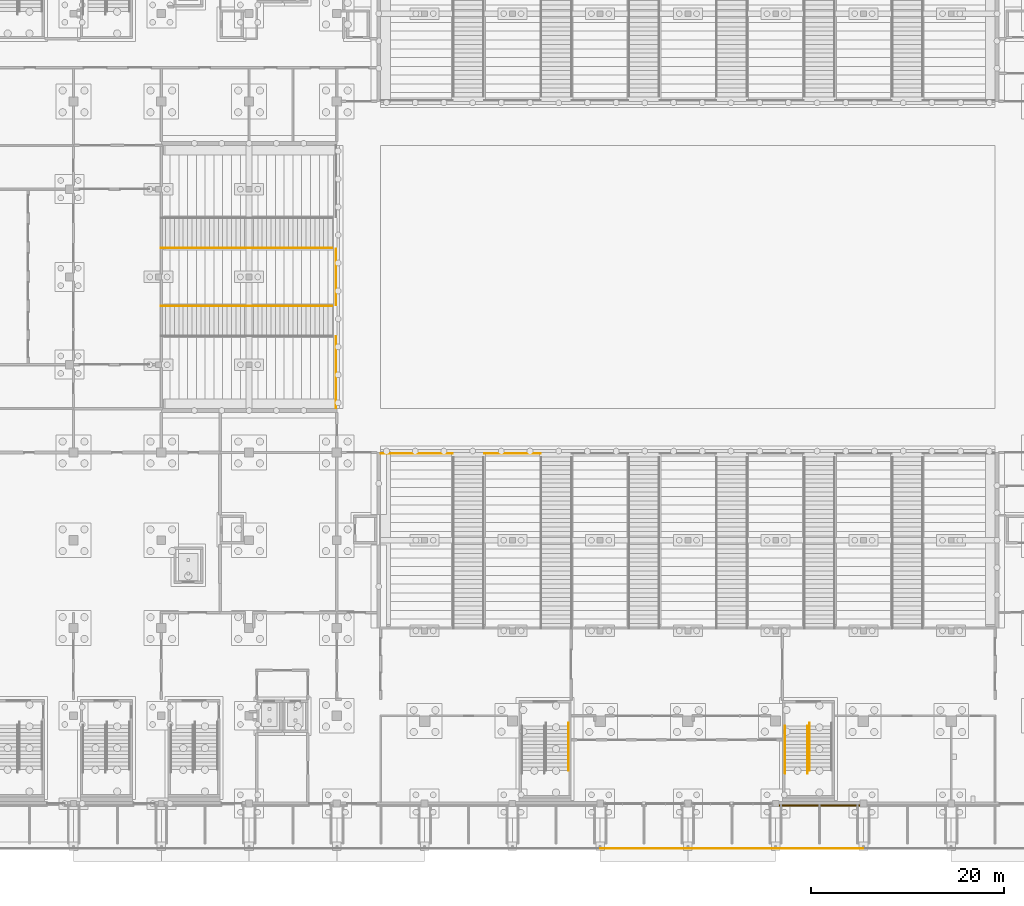
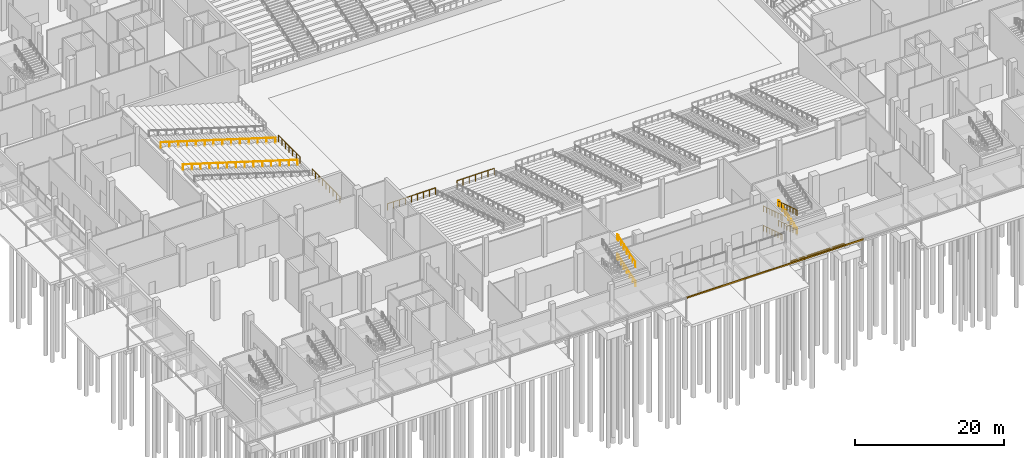
# One storey, part 104 of 129: 13 railings, 4 coverings.
"""IFC4 building model written with IfcOpenShell, lengths in metres."""

from ifc_helpers import new_model, si_unit, direction, frame, origin, origin_2d, place, context, subcontext, project, spatial, rectangle, circle, extrude, material, layer, layer_set, type_object, element, save


model = new_model("IFC4")

# Units and contexts
model_context = context("Model", 3, precision=1e-05, world=origin(), true_north=direction((0.0, 1.0)))
body_context = subcontext(model_context, "Body", "Model", "MODEL_VIEW")
ifc_project = project(units=[si_unit("LENGTHUNIT", "METRE"), si_unit("AREAUNIT", "SQUARE_METRE"), si_unit("VOLUMEUNIT", "CUBIC_METRE"), si_unit("PLANEANGLEUNIT", "RADIAN"), si_unit("MASSUNIT", "GRAM", prefix="KILO")], contexts=[model_context])

# Site, building, storey
site_placement = place(None, origin())
site = spatial("IfcSite", under=ifc_project, at=site_placement, CompositionType="ELEMENT")
building_placement = place(site_placement, origin())
building = spatial("IfcBuilding", under=site, at=building_placement, Name="Shirokan Park Arena", CompositionType="ELEMENT")
storey_placement = place(building_placement, origin())
storey = spatial("IfcBuildingStorey", under=building, at=storey_placement, Name="L00", CompositionType="ELEMENT", Elevation=0.0)

# Railings
ifc_material_1 = material(Name="Stainless steel", Category="steel")
railing_type_1 = type_object("IfcRailingType", Name="Aisle handrail 900", PredefinedType="HANDRAIL", material=ifc_material_1)
railing_1_placement = place(storey_placement, frame((35.89501953125, 51.610107421875, 0.909912109375)))
element("IfcRailing", 1, at=railing_1_placement, inside=storey, type_object=railing_type_1, Name="Handrail vomitory stair W1 lower", PredefinedType="HANDRAIL", context=body_context, shape_type="SweptSolid", body=[
    extrude(circle(Radius=0.02490234375, at=origin_2d()), frame((0.0, 0.0, 0.89013671875), z_axis=(-0.955745737905, 0.0, 0.294193957241), x_axis=(0.0, -1.0, 0.0)), (0.0, 0.0, 1.0), 1.42822265625),
    extrude(circle(Radius=0.02490234375, at=origin_2d()), frame((-1.364990234375, 0.0, 1.310546875), z_axis=(-0.95579379257, 0.0, 0.294037797035), x_axis=(0.0, -1.0, 0.0)), (0.0, 0.0, 1.0), 1.42822265625),
    extrude(circle(Radius=0.02490234375, at=origin_2d()), frame((-2.72998046875, 0.0, 1.73046875), z_axis=(-0.95579379257, 0.0, 0.294037797035), x_axis=(0.0, -1.0, 0.0)), (0.0, 0.0, 1.0), 1.42822265625),
    extrude(circle(Radius=0.02490234375, at=origin_2d()), frame((-4.094970703125, 0.0, 2.150390625), z_axis=(-0.955745737905, 0.0, 0.294193957241), x_axis=(0.0, -1.0, 0.0)), (0.0, 0.0, 1.0), 1.42822265625),
    extrude(circle(Radius=0.02490234375, at=origin_2d()), frame((-5.4599609375, 0.0, 2.5703125), z_axis=(-0.95579379257, 0.0, 0.294037797035), x_axis=(0.0, -1.0, 0.0)), (0.0, 0.0, 1.0), 1.42822265625),
    extrude(circle(Radius=0.02490234375, at=origin_2d()), frame((-6.824951171875, 0.0, 2.990234375), z_axis=(-0.95579379257, 0.0, 0.294037797035), x_axis=(0.0, -1.0, 0.0)), (0.0, 0.0, 1.0), 1.42822265625),
    extrude(circle(Radius=0.02490234375, at=origin_2d()), frame((-8.18994140625, 0.0, 3.41015625), z_axis=(-0.955745737905, 0.0, 0.294193957241), x_axis=(0.0, -1.0, 0.0)), (0.0, 0.0, 1.0), 1.42822265625),
    extrude(circle(Radius=0.02490234375, at=origin_2d()), frame((-9.554931640625, 0.0, 3.83056640625), z_axis=(-0.95579379257, 0.0, 0.294037797035), x_axis=(0.0, -1.0, 0.0)), (0.0, 0.0, 1.0), 1.42822265625),
    extrude(circle(Radius=0.02490234375, at=origin_2d()), frame((-10.919921875, 0.0, 4.25048828125), z_axis=(-0.95579379257, 0.0, 0.294037797035), x_axis=(0.0, -1.0, 0.0)), (0.0, 0.0, 1.0), 1.42822265625),
    extrude(circle(Radius=0.02490234375, at=origin_2d()), frame((-12.284912109375, 0.0, 4.67041015625), z_axis=(-0.955745737905, 0.0, 0.294193957241), x_axis=(0.0, -1.0, 0.0)), (0.0, 0.0, 1.0), 1.42822265625),
    extrude(circle(Radius=0.02490234375, at=origin_2d()), frame((-13.64990234375, 0.0, 5.09033203125), z_axis=(-0.955808569173, 0.0, 0.293989760189), x_axis=(0.0, -1.0, 0.0)), (0.0, 0.0, 1.0), 1.428466796875),
    extrude(circle(Radius=0.02490234375, at=origin_2d()), frame((-15.01513671875, 0.0, 5.51025390625), z_axis=(-0.95579379257, 0.0, 0.294037797035), x_axis=(0.0, -1.0, 0.0)), (0.0, 0.0, 1.0), 1.42822265625),
    extrude(circle(Radius=0.02490234375, at=origin_2d()), frame((-16.380126953125, 0.0, 5.93017578125), z_axis=(-0.955745737905, 0.0, 0.294193957241), x_axis=(0.0, -1.0, 0.0)), (0.0, 0.0, 1.0), 1.42822265625),
    extrude(circle(Radius=0.02490234375, at=origin_2d()), origin(), (0.0, 0.0, 1.0), 0.865234375),
    extrude(circle(Radius=0.02490234375, at=origin_2d()), frame((-1.364990234375, 0.0, 0.420166015625)), (0.0, 0.0, 1.0), 0.865234375),
    extrude(circle(Radius=0.02490234375, at=origin_2d()), frame((-2.72998046875, 0.0, 0.840087890625)), (0.0, 0.0, 1.0), 0.865234375),
    extrude(circle(Radius=0.02490234375, at=origin_2d()), frame((-4.094970703125, 0.0, 1.260009765625)), (0.0, 0.0, 1.0), 0.865234375),
    extrude(circle(Radius=0.02490234375, at=origin_2d()), frame((-5.4599609375, 0.0, 1.68017578125)), (0.0, 0.0, 1.0), 0.865234375),
    extrude(circle(Radius=0.02490234375, at=origin_2d()), frame((-6.824951171875, 0.0, 2.10009765625)), (0.0, 0.0, 1.0), 0.865234375),
    extrude(circle(Radius=0.02490234375, at=origin_2d()), frame((-8.18994140625, 0.0, 2.52001953125)), (0.0, 0.0, 1.0), 0.865234375),
    extrude(circle(Radius=0.02490234375, at=origin_2d()), frame((-9.554931640625, 0.0, 2.940185546875)), (0.0, 0.0, 1.0), 0.865234375),
    extrude(circle(Radius=0.02490234375, at=origin_2d()), frame((-10.919921875, 0.0, 3.360107421875)), (0.0, 0.0, 1.0), 0.865234375),
    extrude(circle(Radius=0.02490234375, at=origin_2d()), frame((-12.284912109375, 0.0, 3.780029296875)), (0.0, 0.0, 1.0), 0.865234375),
    extrude(circle(Radius=0.02490234375, at=origin_2d()), frame((-13.64990234375, 0.0, 4.2001953125)), (0.0, 0.0, 1.0), 0.865234375),
    extrude(circle(Radius=0.02490234375, at=origin_2d()), frame((-15.01513671875, 0.0, 4.6201171875)), (0.0, 0.0, 1.0), 0.865234375),
    extrude(circle(Radius=0.02490234375, at=origin_2d()), frame((-16.380126953125, 0.0, 5.0400390625)), (0.0, 0.0, 1.0), 0.865234375),
    extrude(circle(Radius=0.02490234375, at=origin_2d()), frame((-17.7451171875, 0.0, 5.460205078125)), (0.0, 0.0, 1.0), 0.865234375),
])
railing_2_placement = place(storey_placement, frame((35.89501953125, 57.590087890625, 0.909912109375)))
element("IfcRailing", 2, at=railing_2_placement, inside=storey, type_object=railing_type_1, Name="Handrail vomitory stair W2 lower", PredefinedType="HANDRAIL", context=body_context, shape_type="SweptSolid", body=[
    extrude(circle(Radius=0.02490234375, at=origin_2d()), frame((0.0, 0.0, 0.89013671875), z_axis=(-0.955745737905, 0.0, 0.294193957241), x_axis=(0.0, -1.0, 0.0)), (0.0, 0.0, 1.0), 1.42822265625),
    extrude(circle(Radius=0.02490234375, at=origin_2d()), frame((-1.364990234375, 0.0, 1.310546875), z_axis=(-0.95579379257, 0.0, 0.294037797035), x_axis=(0.0, -1.0, 0.0)), (0.0, 0.0, 1.0), 1.42822265625),
    extrude(circle(Radius=0.02490234375, at=origin_2d()), frame((-2.72998046875, 0.0, 1.73046875), z_axis=(-0.95579379257, 0.0, 0.294037797035), x_axis=(0.0, -1.0, 0.0)), (0.0, 0.0, 1.0), 1.42822265625),
    extrude(circle(Radius=0.02490234375, at=origin_2d()), frame((-4.094970703125, 0.0, 2.150390625), z_axis=(-0.955745737905, 0.0, 0.294193957241), x_axis=(0.0, -1.0, 0.0)), (0.0, 0.0, 1.0), 1.42822265625),
    extrude(circle(Radius=0.02490234375, at=origin_2d()), frame((-5.4599609375, 0.0, 2.5703125), z_axis=(-0.95579379257, 0.0, 0.294037797035), x_axis=(0.0, -1.0, 0.0)), (0.0, 0.0, 1.0), 1.42822265625),
    extrude(circle(Radius=0.02490234375, at=origin_2d()), frame((-6.824951171875, 0.0, 2.990234375), z_axis=(-0.95579379257, 0.0, 0.294037797035), x_axis=(0.0, -1.0, 0.0)), (0.0, 0.0, 1.0), 1.42822265625),
    extrude(circle(Radius=0.02490234375, at=origin_2d()), frame((-8.18994140625, 0.0, 3.41015625), z_axis=(-0.955745737905, 0.0, 0.294193957241), x_axis=(0.0, -1.0, 0.0)), (0.0, 0.0, 1.0), 1.42822265625),
    extrude(circle(Radius=0.02490234375, at=origin_2d()), frame((-9.554931640625, 0.0, 3.83056640625), z_axis=(-0.95579379257, 0.0, 0.294037797035), x_axis=(0.0, -1.0, 0.0)), (0.0, 0.0, 1.0), 1.42822265625),
    extrude(circle(Radius=0.02490234375, at=origin_2d()), frame((-10.919921875, 0.0, 4.25048828125), z_axis=(-0.95579379257, 0.0, 0.294037797035), x_axis=(0.0, -1.0, 0.0)), (0.0, 0.0, 1.0), 1.42822265625),
    extrude(circle(Radius=0.02490234375, at=origin_2d()), frame((-12.284912109375, 0.0, 4.67041015625), z_axis=(-0.955745737905, 0.0, 0.294193957241), x_axis=(0.0, -1.0, 0.0)), (0.0, 0.0, 1.0), 1.42822265625),
    extrude(circle(Radius=0.02490234375, at=origin_2d()), frame((-13.64990234375, 0.0, 5.09033203125), z_axis=(-0.955808569173, 0.0, 0.293989760189), x_axis=(0.0, -1.0, 0.0)), (0.0, 0.0, 1.0), 1.428466796875),
    extrude(circle(Radius=0.02490234375, at=origin_2d()), frame((-15.01513671875, 0.0, 5.51025390625), z_axis=(-0.95579379257, 0.0, 0.294037797035), x_axis=(0.0, -1.0, 0.0)), (0.0, 0.0, 1.0), 1.42822265625),
    extrude(circle(Radius=0.02490234375, at=origin_2d()), frame((-16.380126953125, 0.0, 5.93017578125), z_axis=(-0.955745737905, 0.0, 0.294193957241), x_axis=(0.0, -1.0, 0.0)), (0.0, 0.0, 1.0), 1.42822265625),
    extrude(circle(Radius=0.02490234375, at=origin_2d()), origin(), (0.0, 0.0, 1.0), 0.865234375),
    extrude(circle(Radius=0.02490234375, at=origin_2d()), frame((-1.364990234375, 0.0, 0.420166015625)), (0.0, 0.0, 1.0), 0.865234375),
    extrude(circle(Radius=0.02490234375, at=origin_2d()), frame((-2.72998046875, 0.0, 0.840087890625)), (0.0, 0.0, 1.0), 0.865234375),
    extrude(circle(Radius=0.02490234375, at=origin_2d()), frame((-4.094970703125, 0.0, 1.260009765625)), (0.0, 0.0, 1.0), 0.865234375),
    extrude(circle(Radius=0.02490234375, at=origin_2d()), frame((-5.4599609375, 0.0, 1.68017578125)), (0.0, 0.0, 1.0), 0.865234375),
    extrude(circle(Radius=0.02490234375, at=origin_2d()), frame((-6.824951171875, 0.0, 2.10009765625)), (0.0, 0.0, 1.0), 0.865234375),
    extrude(circle(Radius=0.02490234375, at=origin_2d()), frame((-8.18994140625, 0.0, 2.52001953125)), (0.0, 0.0, 1.0), 0.865234375),
    extrude(circle(Radius=0.02490234375, at=origin_2d()), frame((-9.554931640625, 0.0, 2.940185546875)), (0.0, 0.0, 1.0), 0.865234375),
    extrude(circle(Radius=0.02490234375, at=origin_2d()), frame((-10.919921875, 0.0, 3.360107421875)), (0.0, 0.0, 1.0), 0.865234375),
    extrude(circle(Radius=0.02490234375, at=origin_2d()), frame((-12.284912109375, 0.0, 3.780029296875)), (0.0, 0.0, 1.0), 0.865234375),
    extrude(circle(Radius=0.02490234375, at=origin_2d()), frame((-13.64990234375, 0.0, 4.2001953125)), (0.0, 0.0, 1.0), 0.865234375),
    extrude(circle(Radius=0.02490234375, at=origin_2d()), frame((-15.01513671875, 0.0, 4.6201171875)), (0.0, 0.0, 1.0), 0.865234375),
    extrude(circle(Radius=0.02490234375, at=origin_2d()), frame((-16.380126953125, 0.0, 5.0400390625)), (0.0, 0.0, 1.0), 0.865234375),
    extrude(circle(Radius=0.02490234375, at=origin_2d()), frame((-17.7451171875, 0.0, 5.460205078125)), (0.0, 0.0, 1.0), 0.865234375),
])

# Coverings
ifc_material_2 = material(Name="Timber fascia (cedar)", Category="wood")
ifc_layer_1 = layer(ifc_material_2, 0.050048828125)
ifc_layer_set_1 = layer_set([ifc_layer_1], Name="Timber fascia (cedar) 50 mm")
covering_type_1 = type_object("IfcCoveringType", Name="Canopy fascia 50x250", PredefinedType="CLADDING", material=ifc_layer_set_1)
for number, where, z_axis, x_axis, name in (
    (3, (68.25, -4.675048828125, 3.5), (0.0, 0.0, 1.0), (1.0, 0.0, 0.0), "Canopy fascia south bay 8"),
    (4, (77.35009765625, -4.675048828125, 3.5), (0.0, 0.0, 1.0), (1.0, 0.0, 0.0), "Canopy fascia south bay 9"),
    (5, (86.449951171875, -4.675048828125, 3.5), (0.0, 0.0, 1.0), (1.0, 0.0, 0.0), "Canopy fascia south bay 10"),
):
    element("IfcCovering", number, at=place(storey_placement, frame(where, z_axis=z_axis, x_axis=x_axis)), inside=storey, type_object=covering_type_1, Name=name, PredefinedType="CLADDING", context=body_context, shape_type="SweptSolid", body=[
        extrude(rectangle(XDim=9.10009765625, YDim=0.050048828125, at=origin_2d()), origin(), (0.0, 0.0, 1.0), 0.25),
    ])

# Railings
railing_type_2 = type_object("IfcRailingType", Name="Crowd barrier 1100", PredefinedType="GUARDRAIL", material=ifc_material_1)
railing_3_placement = place(storey_placement, frame((41.0, 36.300048828125, 1.050048828125)))
element("IfcRailing", 6, at=railing_3_placement, inside=storey, type_object=railing_type_2, Name="Crowd barrier S1 lower tier", PredefinedType="GUARDRAIL", context=body_context, shape_type="SweptSolid", body=[
    extrude(circle(Radius=0.030029296875, at=origin_2d()), frame((0.0, 0.0, 1.072021484375), z_axis=(1.0, 0.0, 0.0), x_axis=(0.0, 1.0, 0.0)), (0.0, 0.0, 1.0), 7.39990234375),
    extrude(circle(Radius=0.030029296875, at=origin_2d()), origin(), (0.0, 0.0, 1.0), 1.0419921875),
    extrude(circle(Radius=0.030029296875, at=origin_2d()), frame((0.925048828125, 0.0, 0.0)), (0.0, 0.0, 1.0), 1.0419921875),
    extrude(circle(Radius=0.030029296875, at=origin_2d()), frame((1.85009765625, 0.0, 0.0)), (0.0, 0.0, 1.0), 1.0419921875),
    extrude(circle(Radius=0.030029296875, at=origin_2d()), frame((2.77490234375, 0.0, 0.0)), (0.0, 0.0, 1.0), 1.0419921875),
    extrude(circle(Radius=0.030029296875, at=origin_2d()), frame((3.699951171875, 0.0, 0.0)), (0.0, 0.0, 1.0), 1.0419921875),
    extrude(circle(Radius=0.030029296875, at=origin_2d()), frame((4.625, 0.0, 0.0)), (0.0, 0.0, 1.0), 1.0419921875),
    extrude(circle(Radius=0.030029296875, at=origin_2d()), frame((5.5498046875, 0.0, 0.0)), (0.0, 0.0, 1.0), 1.0419921875),
    extrude(circle(Radius=0.030029296875, at=origin_2d()), frame((6.474853515625, 0.0, 0.0)), (0.0, 0.0, 1.0), 1.0419921875),
    extrude(circle(Radius=0.030029296875, at=origin_2d()), frame((7.39990234375, 0.0, 0.0)), (0.0, 0.0, 1.0), 1.0419921875),
])
railing_4_placement = place(storey_placement, frame((51.699951171875, 36.300048828125, 1.050048828125)))
element("IfcRailing", 7, at=railing_4_placement, inside=storey, type_object=railing_type_2, Name="Crowd barrier S2 lower tier", PredefinedType="GUARDRAIL", context=body_context, shape_type="SweptSolid", body=[
    extrude(circle(Radius=0.030029296875, at=origin_2d()), frame((0.0, 0.0, 1.072021484375), z_axis=(1.0, 0.0, 0.0), x_axis=(0.0, 1.0, 0.0)), (0.0, 0.0, 1.0), 5.800048828125),
    extrude(circle(Radius=0.030029296875, at=origin_2d()), origin(), (0.0, 0.0, 1.0), 1.0419921875),
    extrude(circle(Radius=0.030029296875, at=origin_2d()), frame((0.966796875, 0.0, 0.0)), (0.0, 0.0, 1.0), 1.0419921875),
    extrude(circle(Radius=0.030029296875, at=origin_2d()), frame((1.933349609375, 0.0, 0.0)), (0.0, 0.0, 1.0), 1.0419921875),
    extrude(circle(Radius=0.030029296875, at=origin_2d()), frame((2.89990234375, 0.0, 0.0)), (0.0, 0.0, 1.0), 1.0419921875),
    extrude(circle(Radius=0.030029296875, at=origin_2d()), frame((3.86669921875, 0.0, 0.0)), (0.0, 0.0, 1.0), 1.0419921875),
    extrude(circle(Radius=0.030029296875, at=origin_2d()), frame((4.83349609375, 0.0, 0.0)), (0.0, 0.0, 1.0), 1.0419921875),
    extrude(circle(Radius=0.030029296875, at=origin_2d()), frame((5.800048828125, 0.0, 0.0)), (0.0, 0.0, 1.0), 1.0419921875),
])
railing_5_placement = place(storey_placement, frame((36.300048828125, 41.0, 1.050048828125)))
element("IfcRailing", 8, at=railing_5_placement, inside=storey, type_object=railing_type_2, Name="Crowd barrier W1 lower tier", PredefinedType="GUARDRAIL", context=body_context, shape_type="SweptSolid", body=[
    extrude(circle(Radius=0.030029296875, at=origin_2d()), frame((0.0, 0.0, 1.072021484375), z_axis=(0.0, 1.0, 0.0), x_axis=(-1.0, 0.0, 0.0)), (0.0, 0.0, 1.0), 7.39990234375),
    extrude(circle(Radius=0.030029296875, at=origin_2d()), origin(), (0.0, 0.0, 1.0), 1.0419921875),
    extrude(circle(Radius=0.030029296875, at=origin_2d()), frame((0.0, 0.925048828125, 0.0)), (0.0, 0.0, 1.0), 1.0419921875),
    extrude(circle(Radius=0.030029296875, at=origin_2d()), frame((0.0, 1.85009765625, 0.0)), (0.0, 0.0, 1.0), 1.0419921875),
    extrude(circle(Radius=0.030029296875, at=origin_2d()), frame((0.0, 2.77490234375, 0.0)), (0.0, 0.0, 1.0), 1.0419921875),
    extrude(circle(Radius=0.030029296875, at=origin_2d()), frame((0.0, 3.699951171875, 0.0)), (0.0, 0.0, 1.0), 1.0419921875),
    extrude(circle(Radius=0.030029296875, at=origin_2d()), frame((0.0, 4.625, 0.0)), (0.0, 0.0, 1.0), 1.0419921875),
    extrude(circle(Radius=0.030029296875, at=origin_2d()), frame((0.0, 5.5498046875, 0.0)), (0.0, 0.0, 1.0), 1.0419921875),
    extrude(circle(Radius=0.030029296875, at=origin_2d()), frame((0.0, 6.474853515625, 0.0)), (0.0, 0.0, 1.0), 1.0419921875),
    extrude(circle(Radius=0.030029296875, at=origin_2d()), frame((0.0, 7.39990234375, 0.0)), (0.0, 0.0, 1.0), 1.0419921875),
])
railing_6_placement = place(storey_placement, frame((36.300048828125, 51.699951171875, 1.050048828125)))
element("IfcRailing", 9, at=railing_6_placement, inside=storey, type_object=railing_type_2, Name="Crowd barrier W2 lower tier", PredefinedType="GUARDRAIL", context=body_context, shape_type="SweptSolid", body=[
    extrude(circle(Radius=0.030029296875, at=origin_2d()), frame((0.0, 0.0, 1.072021484375), z_axis=(0.0, 1.0, 0.0), x_axis=(-1.0, 0.0, 0.0)), (0.0, 0.0, 1.0), 5.800048828125),
    extrude(circle(Radius=0.030029296875, at=origin_2d()), origin(), (0.0, 0.0, 1.0), 1.0419921875),
    extrude(circle(Radius=0.030029296875, at=origin_2d()), frame((0.0, 0.966796875, 0.0)), (0.0, 0.0, 1.0), 1.0419921875),
    extrude(circle(Radius=0.030029296875, at=origin_2d()), frame((0.0, 1.933349609375, 0.0)), (0.0, 0.0, 1.0), 1.0419921875),
    extrude(circle(Radius=0.030029296875, at=origin_2d()), frame((0.0, 2.89990234375, 0.0)), (0.0, 0.0, 1.0), 1.0419921875),
    extrude(circle(Radius=0.030029296875, at=origin_2d()), frame((0.0, 3.86669921875, 0.0)), (0.0, 0.0, 1.0), 1.0419921875),
    extrude(circle(Radius=0.030029296875, at=origin_2d()), frame((0.0, 4.83349609375, 0.0)), (0.0, 0.0, 1.0), 1.0419921875),
    extrude(circle(Radius=0.030029296875, at=origin_2d()), frame((0.0, 5.800048828125, 0.0)), (0.0, 0.0, 1.0), 1.0419921875),
])
railing_type_3 = type_object("IfcRailingType", Name="Stair handrail 900", PredefinedType="HANDRAIL", material=ifc_material_1)
railing_7_placement = place(storey_placement, frame((60.409912109375, 3.429931640625, 1.715087890625)))
element("IfcRailing", 10, at=railing_7_placement, inside=storey, type_object=railing_type_3, Name="Handrail Entrance Stair E1.1 L00 to L01", PredefinedType="HANDRAIL", context=body_context, shape_type="SweptSolid", body=[
    extrude(circle(Radius=0.02392578125, at=origin_2d()), frame((0.0, 0.0, 0.8759765625), z_axis=(0.0, 0.952929747917, 0.303191186441), x_axis=(-1.0, 0.0, 0.0)), (0.0, 0.0, 1.0), 1.6162109375),
    extrude(circle(Radius=0.02392578125, at=origin_2d()), frame((0.0, 1.5400390625, 1.36572265625), z_axis=(0.0, 0.952929747917, 0.303191186441), x_axis=(-1.0, 0.0, 0.0)), (0.0, 0.0, 1.0), 1.6162109375),
    extrude(circle(Radius=0.02392578125, at=origin_2d()), frame((0.0, 3.080078125, 1.85595703125), z_axis=(0.0, 0.952929747917, 0.303191186441), x_axis=(-1.0, 0.0, 0.0)), (0.0, 0.0, 1.0), 1.6162109375),
    extrude(circle(Radius=0.02392578125, at=origin_2d()), frame((0.0, 4.6201171875, 2.345703125), z_axis=(0.0, 1.0, 0.0), x_axis=(-1.0, 0.0, 0.0)), (0.0, 0.0, 1.0), 0.300048828125),
    extrude(circle(Radius=0.02099609375, at=origin_2d()), origin(), (0.0, 0.0, 1.0), 0.851806640625),
    extrude(circle(Radius=0.02099609375, at=origin_2d()), frame((0.0, 0.77001953125, 0.2451171875)), (0.0, 0.0, 1.0), 0.851806640625),
    extrude(circle(Radius=0.02099609375, at=origin_2d()), frame((0.0, 1.5400390625, 0.489990234375)), (0.0, 0.0, 1.0), 0.851806640625),
    extrude(circle(Radius=0.02099609375, at=origin_2d()), frame((0.0, 2.31005859375, 0.73486328125)), (0.0, 0.0, 1.0), 0.851806640625),
    extrude(circle(Radius=0.02099609375, at=origin_2d()), frame((0.0, 3.080078125, 0.97998046875)), (0.0, 0.0, 1.0), 0.851806640625),
    extrude(circle(Radius=0.02099609375, at=origin_2d()), frame((0.0, 3.85009765625, 1.22509765625)), (0.0, 0.0, 1.0), 0.851806640625),
    extrude(circle(Radius=0.02099609375, at=origin_2d()), frame((0.0, 4.6201171875, 1.469970703125)), (0.0, 0.0, 1.0), 0.851806640625),
    extrude(circle(Radius=0.02099609375, at=origin_2d()), frame((0.0, 4.920166015625, 1.469970703125)), (0.0, 0.0, 1.0), 0.851806640625),
])
railing_8_placement = place(storey_placement, frame((60.409912109375, 3.429931640625, 4.89990234375)))
element("IfcRailing", 11, at=railing_8_placement, inside=storey, type_object=railing_type_3, Name="Handrail Entrance Stair E1.1 L00 to L01", PredefinedType="HANDRAIL", context=body_context, shape_type="SweptSolid", body=[
    extrude(circle(Radius=0.02392578125, at=origin_2d()), frame((0.0, 0.0, 0.8759765625), z_axis=(0.0, 0.952929747917, 0.303191186441), x_axis=(-1.0, 0.0, 0.0)), (0.0, 0.0, 1.0), 1.6162109375),
    extrude(circle(Radius=0.02392578125, at=origin_2d()), frame((0.0, 1.5400390625, 1.36572265625), z_axis=(0.0, 0.952929747917, 0.303191186441), x_axis=(-1.0, 0.0, 0.0)), (0.0, 0.0, 1.0), 1.6162109375),
    extrude(circle(Radius=0.02392578125, at=origin_2d()), frame((0.0, 3.080078125, 1.85595703125), z_axis=(0.0, 0.952886093821, 0.303328357069), x_axis=(-1.0, 0.0, 0.0)), (0.0, 0.0, 1.0), 1.6162109375),
    extrude(circle(Radius=0.02392578125, at=origin_2d()), frame((0.0, 4.6201171875, 2.34619140625), z_axis=(0.0, 1.0, 0.0), x_axis=(-1.0, 0.0, 0.0)), (0.0, 0.0, 1.0), 0.300048828125),
    extrude(circle(Radius=0.02099609375, at=origin_2d()), origin(), (0.0, 0.0, 1.0), 0.851806640625),
    extrude(circle(Radius=0.02099609375, at=origin_2d()), frame((0.0, 0.77001953125, 0.2451171875)), (0.0, 0.0, 1.0), 0.851806640625),
    extrude(circle(Radius=0.02099609375, at=origin_2d()), frame((0.0, 1.5400390625, 0.489990234375)), (0.0, 0.0, 1.0), 0.851806640625),
    extrude(circle(Radius=0.02099609375, at=origin_2d()), frame((0.0, 2.31005859375, 0.73486328125)), (0.0, 0.0, 1.0), 0.851806640625),
    extrude(circle(Radius=0.02099609375, at=origin_2d()), frame((0.0, 3.080078125, 0.97998046875)), (0.0, 0.0, 1.0), 0.851806640625),
    extrude(circle(Radius=0.02099609375, at=origin_2d()), frame((0.0, 3.85009765625, 1.22509765625)), (0.0, 0.0, 1.0), 0.851806640625),
    extrude(circle(Radius=0.02099609375, at=origin_2d()), frame((0.0, 4.6201171875, 1.47021484375)), (0.0, 0.0, 1.0), 0.851806640625),
    extrude(circle(Radius=0.02099609375, at=origin_2d()), frame((0.0, 4.920166015625, 1.47021484375)), (0.0, 0.0, 1.0), 0.851806640625),
])
railing_9_placement = place(storey_placement, frame((82.889892578125, 8.050048828125, 0.12255859375)))
element("IfcRailing", 12, at=railing_9_placement, inside=storey, type_object=railing_type_3, Name="Handrail Entrance Stair E1.2 L00 to L01", PredefinedType="HANDRAIL", context=body_context, shape_type="SweptSolid", body=[
    extrude(circle(Radius=0.02392578125, at=origin_2d()), frame((0.0, 0.0, 0.8759765625), z_axis=(0.0, -0.952929747917, 0.303191186441), x_axis=(1.0, 0.0, 0.0)), (0.0, 0.0, 1.0), 1.6162109375),
    extrude(circle(Radius=0.02392578125, at=origin_2d()), frame((0.0, -1.5400390625, 1.36572265625), z_axis=(0.0, -0.952929747917, 0.303191186441), x_axis=(1.0, 0.0, 0.0)), (0.0, 0.0, 1.0), 1.6162109375),
    extrude(circle(Radius=0.02392578125, at=origin_2d()), frame((0.0, -3.080078125, 1.85595703125), z_axis=(0.0, -0.952929747917, 0.303191186441), x_axis=(1.0, 0.0, 0.0)), (0.0, 0.0, 1.0), 1.6162109375),
    extrude(circle(Radius=0.02392578125, at=origin_2d()), frame((0.0, -4.6201171875, 2.345703125), z_axis=(0.0, -1.0, 0.0), x_axis=(1.0, 0.0, 0.0)), (0.0, 0.0, 1.0), 0.300048828125),
    extrude(circle(Radius=0.02099609375, at=origin_2d()), origin(), (0.0, 0.0, 1.0), 0.851806640625),
    extrude(circle(Radius=0.02099609375, at=origin_2d()), frame((0.0, -0.77001953125, 0.2451171875)), (0.0, 0.0, 1.0), 0.851806640625),
    extrude(circle(Radius=0.02099609375, at=origin_2d()), frame((0.0, -1.5400390625, 0.489990234375)), (0.0, 0.0, 1.0), 0.851806640625),
    extrude(circle(Radius=0.02099609375, at=origin_2d()), frame((0.0, -2.31005859375, 0.73486328125)), (0.0, 0.0, 1.0), 0.851806640625),
    extrude(circle(Radius=0.02099609375, at=origin_2d()), frame((0.0, -3.080078125, 0.97998046875)), (0.0, 0.0, 1.0), 0.851806640625),
    extrude(circle(Radius=0.02099609375, at=origin_2d()), frame((0.0, -3.85009765625, 1.22509765625)), (0.0, 0.0, 1.0), 0.851806640625),
    extrude(circle(Radius=0.02099609375, at=origin_2d()), frame((0.0, -4.6201171875, 1.469970703125)), (0.0, 0.0, 1.0), 0.851806640625),
    extrude(circle(Radius=0.02099609375, at=origin_2d()), frame((0.0, -4.920166015625, 1.469970703125)), (0.0, 0.0, 1.0), 0.851806640625),
])
railing_10_placement = place(storey_placement, frame((85.2099609375, 8.050048828125, 0.12255859375)))
element("IfcRailing", 13, at=railing_10_placement, inside=storey, type_object=railing_type_3, Name="Handrail Entrance Stair E1.2 L00 to L01", PredefinedType="HANDRAIL", context=body_context, shape_type="SweptSolid", body=[
    extrude(circle(Radius=0.02392578125, at=origin_2d()), frame((0.0, 0.0, 0.8759765625), z_axis=(0.0, -0.952929747917, 0.303191186441), x_axis=(1.0, 0.0, 0.0)), (0.0, 0.0, 1.0), 1.6162109375),
    extrude(circle(Radius=0.02392578125, at=origin_2d()), frame((0.0, -1.5400390625, 1.36572265625), z_axis=(0.0, -0.952929747917, 0.303191186441), x_axis=(1.0, 0.0, 0.0)), (0.0, 0.0, 1.0), 1.6162109375),
    extrude(circle(Radius=0.02392578125, at=origin_2d()), frame((0.0, -3.080078125, 1.85595703125), z_axis=(0.0, -0.952929747917, 0.303191186441), x_axis=(1.0, 0.0, 0.0)), (0.0, 0.0, 1.0), 1.6162109375),
    extrude(circle(Radius=0.02392578125, at=origin_2d()), frame((0.0, -4.6201171875, 2.345703125), z_axis=(0.0, -1.0, 0.0), x_axis=(1.0, 0.0, 0.0)), (0.0, 0.0, 1.0), 0.300048828125),
    extrude(circle(Radius=0.02099609375, at=origin_2d()), origin(), (0.0, 0.0, 1.0), 0.851806640625),
    extrude(circle(Radius=0.02099609375, at=origin_2d()), frame((0.0, -0.77001953125, 0.2451171875)), (0.0, 0.0, 1.0), 0.851806640625),
    extrude(circle(Radius=0.02099609375, at=origin_2d()), frame((0.0, -1.5400390625, 0.489990234375)), (0.0, 0.0, 1.0), 0.851806640625),
    extrude(circle(Radius=0.02099609375, at=origin_2d()), frame((0.0, -2.31005859375, 0.73486328125)), (0.0, 0.0, 1.0), 0.851806640625),
    extrude(circle(Radius=0.02099609375, at=origin_2d()), frame((0.0, -3.080078125, 0.97998046875)), (0.0, 0.0, 1.0), 0.851806640625),
    extrude(circle(Radius=0.02099609375, at=origin_2d()), frame((0.0, -3.85009765625, 1.22509765625)), (0.0, 0.0, 1.0), 0.851806640625),
    extrude(circle(Radius=0.02099609375, at=origin_2d()), frame((0.0, -4.6201171875, 1.469970703125)), (0.0, 0.0, 1.0), 0.851806640625),
    extrude(circle(Radius=0.02099609375, at=origin_2d()), frame((0.0, -4.920166015625, 1.469970703125)), (0.0, 0.0, 1.0), 0.851806640625),
])
railing_11_placement = place(storey_placement, frame((85.389892578125, 3.429931640625, 1.715087890625)))
element("IfcRailing", 14, at=railing_11_placement, inside=storey, type_object=railing_type_3, Name="Handrail Entrance Stair E1.2 L00 to L01", PredefinedType="HANDRAIL", context=body_context, shape_type="SweptSolid", body=[
    extrude(circle(Radius=0.02392578125, at=origin_2d()), frame((0.0, 0.0, 0.8759765625), z_axis=(0.0, 0.952929747917, 0.303191186441), x_axis=(-1.0, 0.0, 0.0)), (0.0, 0.0, 1.0), 1.6162109375),
    extrude(circle(Radius=0.02392578125, at=origin_2d()), frame((0.0, 1.5400390625, 1.36572265625), z_axis=(0.0, 0.952929747917, 0.303191186441), x_axis=(-1.0, 0.0, 0.0)), (0.0, 0.0, 1.0), 1.6162109375),
    extrude(circle(Radius=0.02392578125, at=origin_2d()), frame((0.0, 3.080078125, 1.85595703125), z_axis=(0.0, 0.952929747917, 0.303191186441), x_axis=(-1.0, 0.0, 0.0)), (0.0, 0.0, 1.0), 1.6162109375),
    extrude(circle(Radius=0.02392578125, at=origin_2d()), frame((0.0, 4.6201171875, 2.345703125), z_axis=(0.0, 1.0, 0.0), x_axis=(-1.0, 0.0, 0.0)), (0.0, 0.0, 1.0), 0.300048828125),
    extrude(circle(Radius=0.02099609375, at=origin_2d()), origin(), (0.0, 0.0, 1.0), 0.851806640625),
    extrude(circle(Radius=0.02099609375, at=origin_2d()), frame((0.0, 0.77001953125, 0.2451171875)), (0.0, 0.0, 1.0), 0.851806640625),
    extrude(circle(Radius=0.02099609375, at=origin_2d()), frame((0.0, 1.5400390625, 0.489990234375)), (0.0, 0.0, 1.0), 0.851806640625),
    extrude(circle(Radius=0.02099609375, at=origin_2d()), frame((0.0, 2.31005859375, 0.73486328125)), (0.0, 0.0, 1.0), 0.851806640625),
    extrude(circle(Radius=0.02099609375, at=origin_2d()), frame((0.0, 3.080078125, 0.97998046875)), (0.0, 0.0, 1.0), 0.851806640625),
    extrude(circle(Radius=0.02099609375, at=origin_2d()), frame((0.0, 3.85009765625, 1.22509765625)), (0.0, 0.0, 1.0), 0.851806640625),
    extrude(circle(Radius=0.02099609375, at=origin_2d()), frame((0.0, 4.6201171875, 1.469970703125)), (0.0, 0.0, 1.0), 0.851806640625),
    extrude(circle(Radius=0.02099609375, at=origin_2d()), frame((0.0, 4.920166015625, 1.469970703125)), (0.0, 0.0, 1.0), 0.851806640625),
])
railing_12_placement = place(storey_placement, frame((82.889892578125, 8.050048828125, 3.3076171875)))
element("IfcRailing", 15, at=railing_12_placement, inside=storey, type_object=railing_type_3, Name="Handrail Entrance Stair E1.2 L00 to L01", PredefinedType="HANDRAIL", context=body_context, shape_type="SweptSolid", body=[
    extrude(circle(Radius=0.02392578125, at=origin_2d()), frame((0.0, 0.0, 0.8759765625), z_axis=(0.0, -0.952929747917, 0.303191186441), x_axis=(1.0, 0.0, 0.0)), (0.0, 0.0, 1.0), 1.6162109375),
    extrude(circle(Radius=0.02392578125, at=origin_2d()), frame((0.0, -1.5400390625, 1.36572265625), z_axis=(0.0, -0.952929747917, 0.303191186441), x_axis=(1.0, 0.0, 0.0)), (0.0, 0.0, 1.0), 1.6162109375),
    extrude(circle(Radius=0.02392578125, at=origin_2d()), frame((0.0, -3.080078125, 1.85595703125), z_axis=(0.0, -0.952929747917, 0.303191186441), x_axis=(1.0, 0.0, 0.0)), (0.0, 0.0, 1.0), 1.6162109375),
    extrude(circle(Radius=0.02392578125, at=origin_2d()), frame((0.0, -4.6201171875, 2.345703125), z_axis=(0.0, -1.0, 0.0), x_axis=(1.0, 0.0, 0.0)), (0.0, 0.0, 1.0), 0.300048828125),
    extrude(circle(Radius=0.02099609375, at=origin_2d()), origin(), (0.0, 0.0, 1.0), 0.851806640625),
    extrude(circle(Radius=0.02099609375, at=origin_2d()), frame((0.0, -0.77001953125, 0.2451171875)), (0.0, 0.0, 1.0), 0.851806640625),
    extrude(circle(Radius=0.02099609375, at=origin_2d()), frame((0.0, -1.5400390625, 0.489990234375)), (0.0, 0.0, 1.0), 0.851806640625),
    extrude(circle(Radius=0.02099609375, at=origin_2d()), frame((0.0, -2.31005859375, 0.73486328125)), (0.0, 0.0, 1.0), 0.851806640625),
    extrude(circle(Radius=0.02099609375, at=origin_2d()), frame((0.0, -3.080078125, 0.97998046875)), (0.0, 0.0, 1.0), 0.851806640625),
    extrude(circle(Radius=0.02099609375, at=origin_2d()), frame((0.0, -3.85009765625, 1.22509765625)), (0.0, 0.0, 1.0), 0.851806640625),
    extrude(circle(Radius=0.02099609375, at=origin_2d()), frame((0.0, -4.6201171875, 1.469970703125)), (0.0, 0.0, 1.0), 0.851806640625),
    extrude(circle(Radius=0.02099609375, at=origin_2d()), frame((0.0, -4.920166015625, 1.469970703125)), (0.0, 0.0, 1.0), 0.851806640625),
])
railing_13_placement = place(storey_placement, frame((85.2099609375, 8.050048828125, 3.3076171875)))
element("IfcRailing", 16, at=railing_13_placement, inside=storey, type_object=railing_type_3, Name="Handrail Entrance Stair E1.2 L00 to L01", PredefinedType="HANDRAIL", context=body_context, shape_type="SweptSolid", body=[
    extrude(circle(Radius=0.02392578125, at=origin_2d()), frame((0.0, 0.0, 0.8759765625), z_axis=(0.0, -0.952929747917, 0.303191186441), x_axis=(1.0, 0.0, 0.0)), (0.0, 0.0, 1.0), 1.6162109375),
    extrude(circle(Radius=0.02392578125, at=origin_2d()), frame((0.0, -1.5400390625, 1.36572265625), z_axis=(0.0, -0.952929747917, 0.303191186441), x_axis=(1.0, 0.0, 0.0)), (0.0, 0.0, 1.0), 1.6162109375),
    extrude(circle(Radius=0.02392578125, at=origin_2d()), frame((0.0, -3.080078125, 1.85595703125), z_axis=(0.0, -0.952929747917, 0.303191186441), x_axis=(1.0, 0.0, 0.0)), (0.0, 0.0, 1.0), 1.6162109375),
    extrude(circle(Radius=0.02392578125, at=origin_2d()), frame((0.0, -4.6201171875, 2.345703125), z_axis=(0.0, -1.0, 0.0), x_axis=(1.0, 0.0, 0.0)), (0.0, 0.0, 1.0), 0.300048828125),
    extrude(circle(Radius=0.02099609375, at=origin_2d()), origin(), (0.0, 0.0, 1.0), 0.851806640625),
    extrude(circle(Radius=0.02099609375, at=origin_2d()), frame((0.0, -0.77001953125, 0.2451171875)), (0.0, 0.0, 1.0), 0.851806640625),
    extrude(circle(Radius=0.02099609375, at=origin_2d()), frame((0.0, -1.5400390625, 0.489990234375)), (0.0, 0.0, 1.0), 0.851806640625),
    extrude(circle(Radius=0.02099609375, at=origin_2d()), frame((0.0, -2.31005859375, 0.73486328125)), (0.0, 0.0, 1.0), 0.851806640625),
    extrude(circle(Radius=0.02099609375, at=origin_2d()), frame((0.0, -3.080078125, 0.97998046875)), (0.0, 0.0, 1.0), 0.851806640625),
    extrude(circle(Radius=0.02099609375, at=origin_2d()), frame((0.0, -3.85009765625, 1.22509765625)), (0.0, 0.0, 1.0), 0.851806640625),
    extrude(circle(Radius=0.02099609375, at=origin_2d()), frame((0.0, -4.6201171875, 1.469970703125)), (0.0, 0.0, 1.0), 0.851806640625),
    extrude(circle(Radius=0.02099609375, at=origin_2d()), frame((0.0, -4.920166015625, 1.469970703125)), (0.0, 0.0, 1.0), 0.851806640625),
])

# Covering
ifc_material_3 = material(Name="Natural stone", Category="masonry")
ifc_layer_2 = layer(ifc_material_3, 0.14990234375)
ifc_layer_set_2 = layer_set([ifc_layer_2], Name="Natural stone 150 mm")
covering_type_2 = type_object("IfcCoveringType", Name="Stone plinth 150x450", PredefinedType="CLADDING", material=ifc_layer_set_2)
covering_placement = place(storey_placement, frame((86.4375, -0.22509765625, 0.0), z_axis=(0.0, 0.0, 1.0), x_axis=(1.0, 0.0, 0.0)))
element("IfcCovering", 17, at=covering_placement, inside=storey, type_object=covering_type_2, Name="Stone plinth south bay 10", PredefinedType="CLADDING", context=body_context, shape_type="SweptSolid", body=[
    extrude(rectangle(XDim=8.425048828125, YDim=0.14990234375, at=origin_2d()), origin(), (0.0, 0.0, 1.0), 0.449951171875),
])

save(model, "model.ifc")
